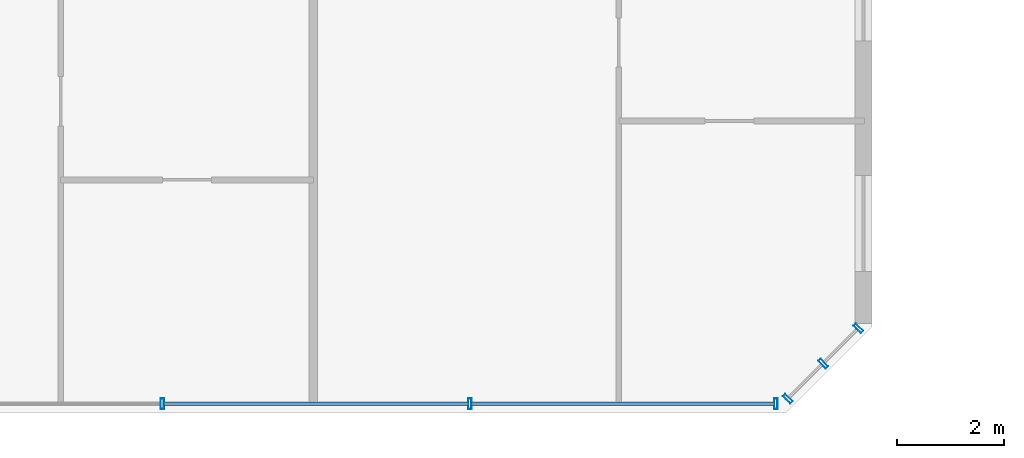
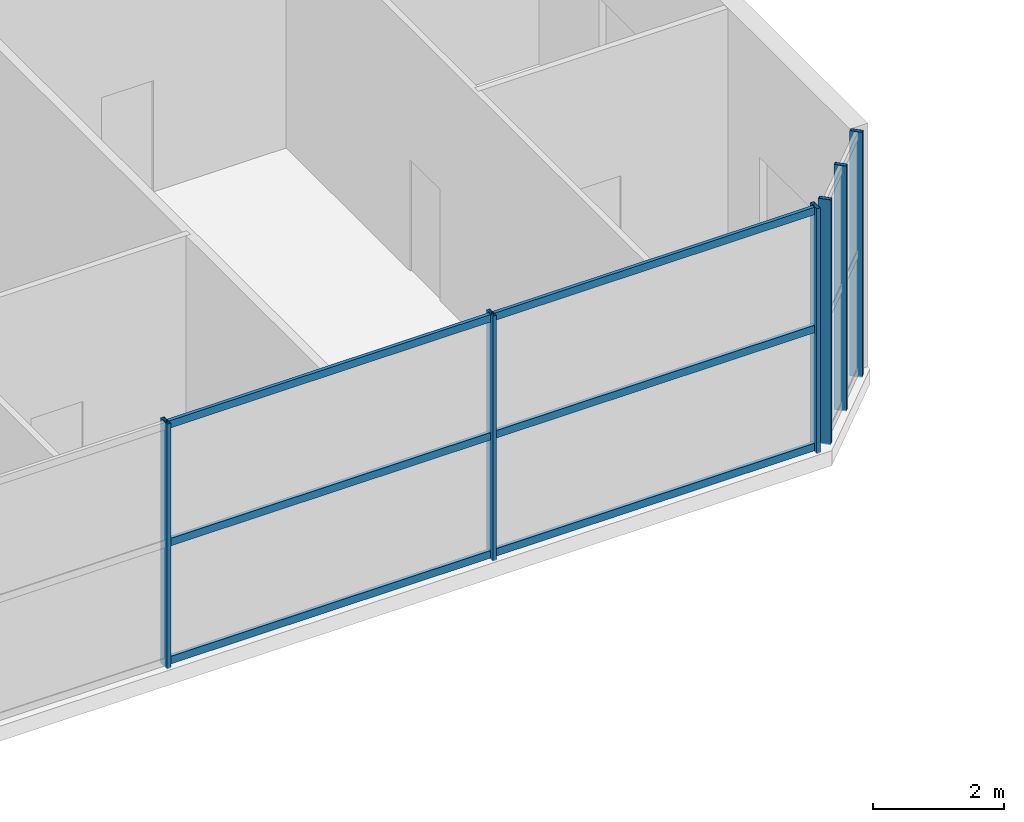
# One storey, part 7 of 21: 12 members, 2 elements without a shape of their own.
"""IFC4 building model written with IfcOpenShell, lengths in metres."""

from ifc_helpers import new_model, si_unit, direction, frame, origin, origin_2d, place, context, subcontext, project, spatial, hollow_rectangle, extrude, source, transform, mapped, material, material_profile, profile_set, type_object, element, aggregate, save


model = new_model("IFC4")

# Units and contexts
model_context = context("Model", 3, precision=1e-05, world=origin(), true_north=direction((0.0, 1.0)))
body_context = subcontext(model_context, "Body", "Model", "MODEL_VIEW")
ifc_project = project(units=[si_unit("LENGTHUNIT", "METRE"), si_unit("AREAUNIT", "SQUARE_METRE"), si_unit("VOLUMEUNIT", "CUBIC_METRE"), si_unit("PLANEANGLEUNIT", "RADIAN"), si_unit("MASSUNIT", "GRAM", prefix="KILO")], contexts=[model_context])

# Site, building, storey
site_placement = place(None, origin())
site = spatial("IfcSite", under=ifc_project, at=site_placement, CompositionType="ELEMENT")
building_placement = place(site_placement, origin())
building = spatial("IfcBuilding", under=site, at=building_placement, Name="Tlacorven Tower", CompositionType="ELEMENT")
storey_placement = place(building_placement, frame((0.0, 0.0, 179.39990234375)))
storey = spatial("IfcBuildingStorey", under=building, at=storey_placement, Name="L45", CompositionType="ELEMENT", Elevation=179.39990234375)

# Curtain wall, members
ifc_material_1 = material(Name="Dark solar low-E double glazing in aluminium frame", Category="aluminium")
curtain_wall_type = type_object("IfcCurtainWallType", Name="CW-TWR-MID", PredefinedType="USERDEFINED", material=ifc_material_1)
curtain_wall_1_placement = place(storey_placement, origin())
curtain_wall_1 = element("IfcCurtainWall", 1, at=curtain_wall_1_placement, inside=storey, type_object=curtain_wall_type, Name="L45 CW-TWR-MID Curtain Wall 209", ObjectType="UNITISED CURTAIN WALL", PredefinedType="USERDEFINED")
ifc_material_2 = material(Name="Aluminium 6063-T6 anodised", Category="aluminium")
ifc_material_profile_1 = material_profile(ifc_material_2, hollow_rectangle(XDim=0.06005859375, YDim=0.139892578125, WallThickness=0.00390625, at=origin_2d()), Name="ALU TRANSOM 60X140")
ifc_profile_set_1 = profile_set([ifc_material_profile_1], Name="Aluminium 6063-T6 anodised")
member_type_1 = type_object("IfcMemberType", Name="CWT-02", PredefinedType="USERDEFINED", material=ifc_profile_set_1)
shared_shape_1 = source(origin(), body_context, "Body", "SweptSolid", [
    extrude(hollow_rectangle(XDim=0.06005859375, YDim=0.139892578125, WallThickness=0.00390625, at=origin_2d()), origin(), (0.0, 0.0, 1.0), 5.682373046875),
])
member_1_placement = place(storey_placement, frame((50.580810546875, 1.9599609375, 0.070068359375), z_axis=(-1.0, 0.0, 0.0), x_axis=(0.0, -1.0, 0.0)))
member_1 = element("IfcMember", 2, at=member_1_placement, type_object=member_type_1, Name="CW-L45-209 Transom 1", ObjectType="TRANSOM", PredefinedType="USERDEFINED", context=body_context, shape_type="MappedRepresentation", body=[
    mapped(shared_shape_1, transform((0.0, 0.0, 0.0), scale=1.0)),
])
member_2_placement = place(storey_placement, frame((50.580810546875, 1.9599609375, 2.275146484375), z_axis=(-1.0, 0.0, 0.0), x_axis=(0.0, -1.0, 0.0)))
member_2 = element("IfcMember", 3, at=member_2_placement, type_object=member_type_1, Name="CW-L45-209 Transom 2", ObjectType="TRANSOM", PredefinedType="USERDEFINED", context=body_context, shape_type="MappedRepresentation", body=[
    mapped(shared_shape_1, transform((0.0, 0.0, 0.0), scale=1.0)),
])
member_3_placement = place(storey_placement, frame((50.580810546875, 1.9599609375, 4.47998046875), z_axis=(-1.0, 0.0, 0.0), x_axis=(0.0, -1.0, 0.0)))
member_3 = element("IfcMember", 4, at=member_3_placement, type_object=member_type_1, Name="CW-L45-209 Transom 3", ObjectType="TRANSOM", PredefinedType="USERDEFINED", context=body_context, shape_type="MappedRepresentation", body=[
    mapped(shared_shape_1, transform((0.0, 0.0, 0.0), scale=1.0)),
])
shared_shape_2 = source(origin(), body_context, "Body", "SweptSolid", [
    extrude(hollow_rectangle(XDim=0.06005859375, YDim=0.139892578125, WallThickness=0.00390625, at=origin_2d()), origin(), (0.0, 0.0, 1.0), 5.71484375),
])
member_4_placement = place(storey_placement, frame((44.857421875, 1.9599609375, 0.070068359375), z_axis=(-1.0, 0.0, 0.0), x_axis=(0.0, -1.0, 0.0)))
member_4 = element("IfcMember", 5, at=member_4_placement, type_object=member_type_1, Name="CW-L45-209 Transom 4", ObjectType="TRANSOM", PredefinedType="USERDEFINED", context=body_context, shape_type="MappedRepresentation", body=[
    mapped(shared_shape_2, transform((0.0, 0.0, 0.0), scale=1.0)),
])
member_5_placement = place(storey_placement, frame((44.857421875, 1.9599609375, 2.275146484375), z_axis=(-1.0, 0.0, 0.0), x_axis=(0.0, -1.0, 0.0)))
member_5 = element("IfcMember", 6, at=member_5_placement, type_object=member_type_1, Name="CW-L45-209 Transom 5", ObjectType="TRANSOM", PredefinedType="USERDEFINED", context=body_context, shape_type="MappedRepresentation", body=[
    mapped(shared_shape_2, transform((0.0, 0.0, 0.0), scale=1.0)),
])
member_6_placement = place(storey_placement, frame((44.857421875, 1.9599609375, 4.47998046875), z_axis=(-1.0, 0.0, 0.0), x_axis=(0.0, -1.0, 0.0)))
member_6 = element("IfcMember", 7, at=member_6_placement, type_object=member_type_1, Name="CW-L45-209 Transom 6", ObjectType="TRANSOM", PredefinedType="USERDEFINED", context=body_context, shape_type="MappedRepresentation", body=[
    mapped(shared_shape_2, transform((0.0, 0.0, 0.0), scale=1.0)),
])

curtain_wall_2_placement = place(storey_placement, origin())
curtain_wall_2 = element("IfcCurtainWall", 8, at=curtain_wall_2_placement, inside=storey, type_object=curtain_wall_type, Name="L45 CW-TWR-MID Curtain Wall 208", ObjectType="UNITISED CURTAIN WALL", PredefinedType="USERDEFINED")
ifc_material_profile_2 = material_profile(ifc_material_2, hollow_rectangle(XDim=0.06494140625, YDim=0.199951171875, WallThickness=0.00439453125, at=origin_2d()), Name="ALU MULLION 65X200")
ifc_profile_set_2 = profile_set([ifc_material_profile_2], Name="Aluminium 6063-T6 anodised")
member_type_2 = type_object("IfcMemberType", Name="CWM-02", PredefinedType="MULLION", material=ifc_profile_set_2)
shared_shape_3 = source(origin(), body_context, "Body", "SweptSolid", [
    extrude(hollow_rectangle(XDim=0.06494140625, YDim=0.199951171875, WallThickness=0.00439453125, at=origin_2d()), origin(), (0.0, 0.0, 1.0), 4.580078125),
])
member_7_placement = place(storey_placement, frame((52.146240234375, 3.37255859375, -0.02001953125), z_axis=(0.0, 0.0, 1.0), x_axis=(-0.707106781187, -0.707106781187, 0.0)))
member_7 = element("IfcMember", 9, at=member_7_placement, type_object=member_type_2, Name="CW-L45-208 Mullion 1", PredefinedType="MULLION", context=body_context, shape_type="MappedRepresentation", body=[
    mapped(shared_shape_3, transform((0.0, 0.0, 0.0), scale=1.0)),
])
member_8_placement = place(storey_placement, frame((51.48681640625, 2.713134765625, -0.02001953125), z_axis=(0.0, 0.0, 1.0), x_axis=(-0.707106781187, -0.707106781187, 0.0)))
member_8 = element("IfcMember", 10, at=member_8_placement, type_object=member_type_2, Name="CW-L45-208 Mullion 2", PredefinedType="MULLION", context=body_context, shape_type="MappedRepresentation", body=[
    mapped(shared_shape_3, transform((0.0, 0.0, 0.0), scale=1.0)),
])
member_9_placement = place(storey_placement, frame((50.827392578125, 2.0537109375, -0.02001953125), z_axis=(0.0, 0.0, 1.0), x_axis=(-0.707106781187, -0.707106781187, 0.0)))
member_9 = element("IfcMember", 11, at=member_9_placement, type_object=member_type_2, Name="CW-L45-208 Mullion 3", PredefinedType="MULLION", context=body_context, shape_type="MappedRepresentation", body=[
    mapped(shared_shape_3, transform((0.0, 0.0, 0.0), scale=1.0)),
])
aggregate(curtain_wall_2, [member_7, member_8, member_9])

# Member
member_10_placement = place(storey_placement, frame((50.601318359375, 1.9599609375, -0.02001953125), z_axis=(0.0, 0.0, 1.0), x_axis=(-1.0, 0.0, 0.0)))
member_10 = element("IfcMember", 12, at=member_10_placement, type_object=member_type_2, Name="CW-L45-209 Mullion 1", PredefinedType="MULLION", context=body_context, shape_type="MappedRepresentation", body=[
    mapped(shared_shape_3, transform((0.0, 0.0, 0.0), scale=1.0)),
])

member_11_placement = place(storey_placement, frame((44.8779296875, 1.9599609375, -0.02001953125), z_axis=(0.0, 0.0, 1.0), x_axis=(-1.0, 0.0, 0.0)))
member_11 = element("IfcMember", 13, at=member_11_placement, type_object=member_type_2, Name="CW-L45-209 Mullion 2", PredefinedType="MULLION", context=body_context, shape_type="MappedRepresentation", body=[
    mapped(shared_shape_3, transform((0.0, 0.0, 0.0), scale=1.0)),
])

member_12_placement = place(storey_placement, frame((39.1220703125, 1.9599609375, -0.02001953125), z_axis=(0.0, 0.0, 1.0), x_axis=(-1.0, 0.0, 0.0)))
member_12 = element("IfcMember", 14, at=member_12_placement, type_object=member_type_2, Name="CW-L45-209 Mullion 3", PredefinedType="MULLION", context=body_context, shape_type="MappedRepresentation", body=[
    mapped(shared_shape_3, transform((0.0, 0.0, 0.0), scale=1.0)),
])

aggregate(curtain_wall_1, [member_10, member_11, member_12, member_1, member_2, member_3, member_4, member_5, member_6])

save(model, "model.ifc")
